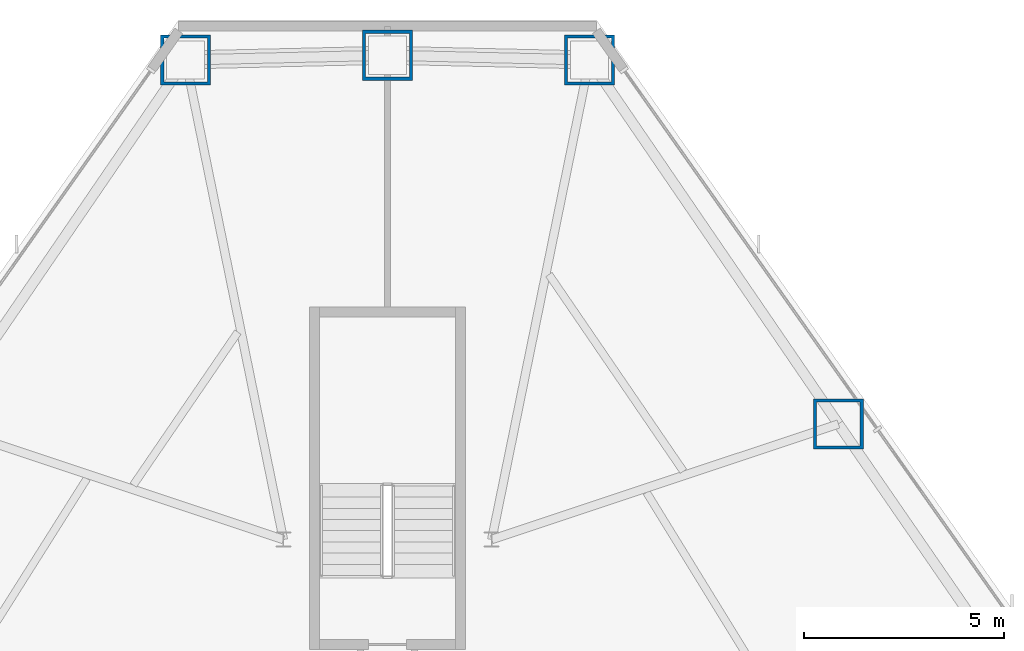
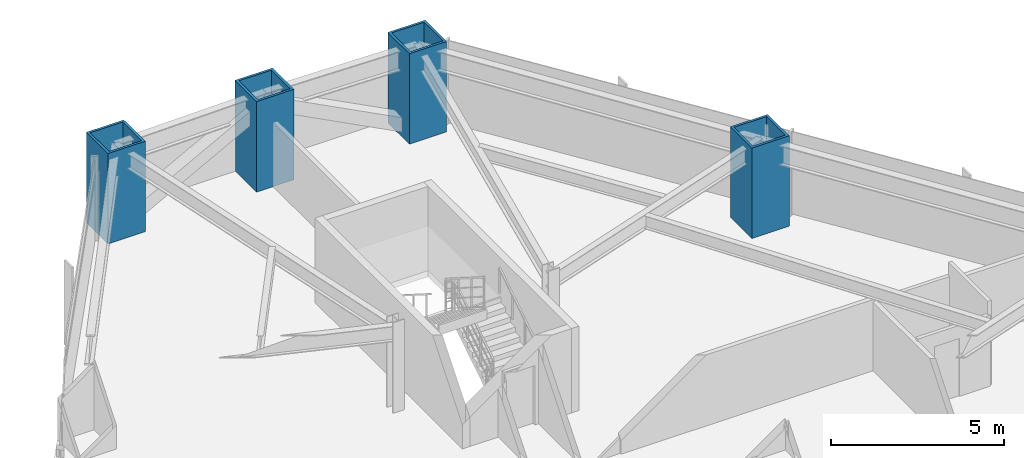
# One storey, part 3 of 12: 4 columns.
"""IFC4 building model written with IfcOpenShell, lengths in metres."""

from ifc_helpers import new_model, si_unit, direction, frame, origin, origin_2d, place, context, subcontext, project, spatial, hollow_rectangle, extrude, material, material_profile, profile_set, type_object, element, save


model = new_model("IFC4")

# Units and contexts
model_context = context("Model", 3, precision=1e-05, world=origin(), true_north=direction((0.0, 1.0)))
body_context = subcontext(model_context, "Body", "Model", "MODEL_VIEW")
ifc_project = project(units=[si_unit("LENGTHUNIT", "METRE"), si_unit("AREAUNIT", "SQUARE_METRE"), si_unit("VOLUMEUNIT", "CUBIC_METRE"), si_unit("PLANEANGLEUNIT", "RADIAN"), si_unit("MASSUNIT", "GRAM", prefix="KILO")], contexts=[model_context])

# Site, building, storey
site_placement = place(None, origin())
site = spatial("IfcSite", under=ifc_project, at=site_placement, CompositionType="ELEMENT")
building_placement = place(site_placement, origin())
building = spatial("IfcBuilding", under=site, at=building_placement, Name="Varakhsha Concourse Tower", CompositionType="ELEMENT")
storey_placement = place(building_placement, frame((0.0, 0.0, 40.0)))
storey = spatial("IfcBuildingStorey", under=building, at=storey_placement, Name="L10", CompositionType="ELEMENT", Elevation=40.0)

# Columns
ifc_material = material(Name="Structural Steel ASTM A572 Grade 50", Category="steel")
ifc_material_profile = material_profile(ifc_material, hollow_rectangle(XDim=1.25, YDim=1.25, WallThickness=0.080078125, at=origin_2d()), Name="BOX 1250x1250x80")
ifc_profile_set = profile_set([ifc_material_profile], Name="Structural Steel ASTM A572 Grade 50")
column_type = type_object("IfcColumnType", Name="CL-TUBE-1250", PredefinedType="COLUMN", material=ifc_profile_set)
for number, where, z_axis, x_axis, name in (
    (1, (45.040771484375, 53.171630859375, 0.0), (0.0, 0.0, 1.0), (1.0, 0.0, 0.0), "L10 Framed-Tube Column TC01"),
    (2, (40.0, 53.28857421875, 0.0), (0.0, 0.0, 1.0), (1.0, 0.0, 0.0), "L10 Framed-Tube Column TC02"),
    (3, (34.959228515625, 53.171630859375, 0.0), (0.0, 0.0, 1.0), (1.0, 0.0, 0.0), "L10 Framed-Tube Column TC03"),
    (4, (51.25390625, 44.084228515625, 0.0), (0.0, 0.0, 1.0), (1.0, 0.0, 0.0), "L10 Framed-Tube Column TC18"),
):
    element("IfcColumn", number, at=place(storey_placement, frame(where, z_axis=z_axis, x_axis=x_axis)), inside=storey, type_object=column_type, Name=name, PredefinedType="COLUMN", context=body_context, shape_type="SweptSolid", body=[
        extrude(hollow_rectangle(XDim=1.25, YDim=1.25, WallThickness=0.080078125, at=origin_2d()), origin(), (0.0, 0.0, 1.0), 3.199951171875),
    ])

save(model, "model.ifc")
